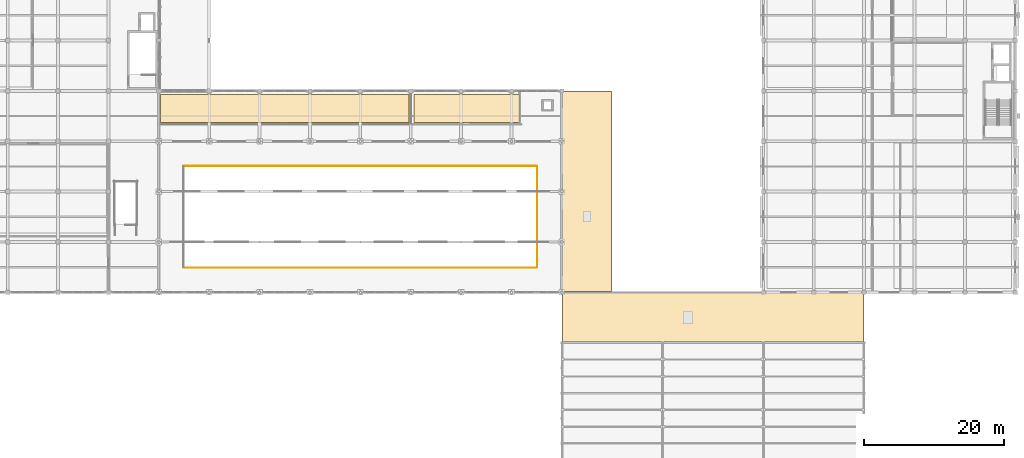
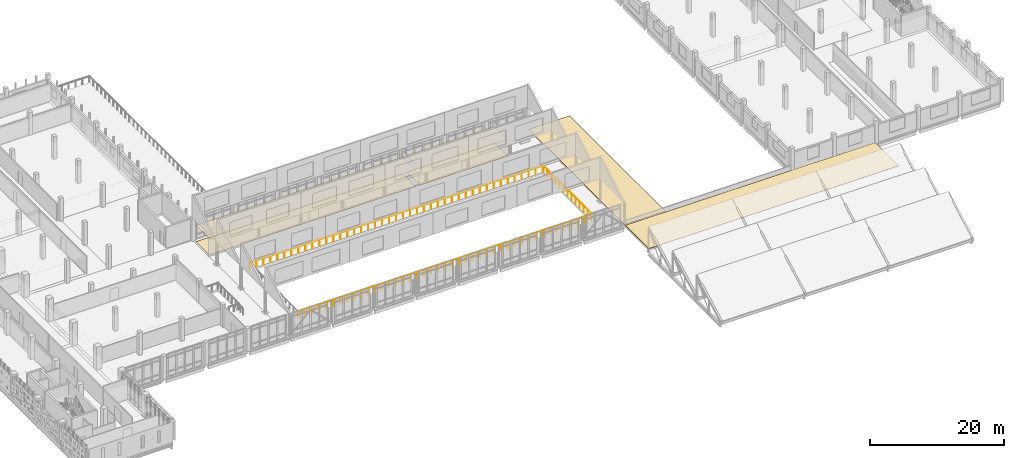
# One storey, part 57 of 62: 6 coverings, 3 railings.
"""IFC4 building model written with IfcOpenShell, lengths in metres."""

from ifc_helpers import new_model, si_unit, direction, frame, origin, origin_2d, place, context, subcontext, project, spatial, polyline, circle, outline, extrude, material, layer, layer_set, type_object, element, save


model = new_model("IFC4")

# Units and contexts
model_context = context("Model", 3, precision=1e-05, world=origin(), true_north=direction((0.0, 1.0)))
body_context = subcontext(model_context, "Body", "Model", "MODEL_VIEW")
ifc_project = project(units=[si_unit("LENGTHUNIT", "METRE"), si_unit("AREAUNIT", "SQUARE_METRE"), si_unit("VOLUMEUNIT", "CUBIC_METRE"), si_unit("PLANEANGLEUNIT", "RADIAN"), si_unit("MASSUNIT", "GRAM", prefix="KILO")], contexts=[model_context])

# Site, building, storey
site_placement = place(None, origin())
site = spatial("IfcSite", under=ifc_project, at=site_placement, CompositionType="ELEMENT")
building_placement = place(site_placement, origin())
building = spatial("IfcBuilding", under=site, at=building_placement, Name="Valkovuoma Quantum and Materials Research Institute", CompositionType="ELEMENT")
storey_placement = place(building_placement, frame((0.0, 0.0, 13.1201171875)))
storey = spatial("IfcBuildingStorey", under=building, at=storey_placement, Name="L03", CompositionType="ELEMENT", Elevation=13.1201171875)

# Coverings
ifc_material_1 = material(Name="Cleanable acoustic mineral-fibre suspended ceiling", Category="masonry")
ifc_layer_1 = layer(ifc_material_1, 0.02490234375)
ifc_layer_set_1 = layer_set([ifc_layer_1], Name="Cleanable acoustic mineral-fibre suspended ceiling")
covering_type_1 = type_object("IfcCoveringType", Name="Cov-CEIL-01", PredefinedType="CEILING", material=ifc_layer_set_1)
covering_1_placement = place(storey_placement, frame((0.0, 0.0, 3.0)))
element("IfcCovering", 1, at=covering_1_placement, inside=storey, type_object=covering_type_1, Name="L03 acoustic ceiling 0090", PredefinedType="CEILING", context=body_context, shape_type="SweptSolid", body=[
    extrude(outline(polyline([(43.449951171875, 60.25), (78.949951171875, 60.25), (78.949951171875, 64.25), (43.449951171875, 64.25), (43.449951171875, 60.25)])), origin(), (0.0, 0.0, 1.0), 0.02490234375),
])
covering_2_placement = place(storey_placement, frame((0.0, 0.0, 3.0)))
element("IfcCovering", 2, at=covering_2_placement, inside=storey, type_object=covering_type_1, Name="L03 acoustic ceiling 0091", PredefinedType="CEILING", context=body_context, shape_type="SweptSolid", body=[
    extrude(outline(polyline([(79.64990234375, 60.25), (94.75, 60.25), (94.75, 64.25), (79.64990234375, 64.25), (79.64990234375, 60.25)])), origin(), (0.0, 0.0, 1.0), 0.02490234375),
])
ifc_material_2 = material(Name="Seamless dissipative laboratory resin flooring", Category="masonry")
ifc_layer_2 = layer(ifc_material_2, 0.014892578125)
ifc_layer_set_2 = layer_set([ifc_layer_2], Name="Seamless dissipative laboratory resin flooring")
covering_type_2 = type_object("IfcCoveringType", Name="Cov-FLOR-01", PredefinedType="FLOORING", material=ifc_layer_set_2)
covering_3_placement = place(storey_placement, origin())
element("IfcCovering", 3, at=covering_3_placement, inside=storey, type_object=covering_type_2, Name="L03 resin flooring 0090", PredefinedType="FLOORING", context=body_context, shape_type="SweptSolid", body=[
    extrude(outline(polyline([(43.449951171875, 60.25), (78.949951171875, 60.25), (78.949951171875, 64.25), (43.449951171875, 64.25), (43.449951171875, 60.25)])), origin(), (0.0, 0.0, 1.0), 0.014892578125),
])
covering_4_placement = place(storey_placement, origin())
element("IfcCovering", 4, at=covering_4_placement, inside=storey, type_object=covering_type_2, Name="L03 resin flooring 0091", PredefinedType="FLOORING", context=body_context, shape_type="SweptSolid", body=[
    extrude(outline(polyline([(79.64990234375, 60.25), (94.75, 60.25), (94.75, 64.25), (79.64990234375, 64.25), (79.64990234375, 60.25)])), origin(), (0.0, 0.0, 1.0), 0.014892578125),
])
ifc_material_3 = material(Name="Standing-seam zinc and insulated snow-shedding roofing", Category="aluminium")
ifc_layer_3 = layer(ifc_material_3, 0.06005859375)
ifc_layer_set_3 = layer_set([ifc_layer_3], Name="Standing-seam zinc and insulated snow-shedding roofing")
covering_type_3 = type_object("IfcCoveringType", Name="Cov-ROOF-01", PredefinedType="ROOFING", material=ifc_layer_set_3)
covering_5_placement = place(storey_placement, origin())
element("IfcCovering", 5, at=covering_5_placement, inside=storey, type_object=covering_type_3, Name="L03 roof covering RFG-V1-LINK", PredefinedType="ROOFING", context=body_context, shape_type="SweptSolid", body=[
    extrude(outline(polyline([(100.89990234375, 28.89990234375), (143.89990234375, 28.89990234375), (143.89990234375, 35.89990234375), (100.89990234375, 35.89990234375), (100.89990234375, 28.89990234375)])), origin(), (0.0, 0.0, 1.0), 0.059814453125),
])
covering_6_placement = place(storey_placement, origin())
element("IfcCovering", 6, at=covering_6_placement, inside=storey, type_object=covering_type_3, Name="L03 roof covering RFG-V2-EAST", PredefinedType="ROOFING", context=body_context, shape_type="SweptSolid", body=[
    extrude(outline(polyline([(100.89990234375, 36.10009765625), (107.89990234375, 36.10009765625), (107.89990234375, 64.699951171875), (100.89990234375, 64.699951171875), (100.89990234375, 36.10009765625)])), origin(), (0.0, 0.0, 1.0), 0.059814453125),
])

# Railings
ifc_material_4 = material(Name="Hot-dip galvanised and powder-coated steel guardrail", Category="steel")
railing_type = type_object("IfcRailingType", Name="Rail-GRD-EXT", PredefinedType="BALUSTRADE", material=ifc_material_4)
railing_1_placement = place(storey_placement, frame((46.800048828125, 39.52001953125, 0.0)))
element("IfcRailing", 7, at=railing_1_placement, inside=storey, type_object=railing_type, Name="L03 atrium_void balustrade S", PredefinedType="BALUSTRADE", context=body_context, shape_type="SweptSolid", body=[
    extrude(circle(Radius=0.02392578125, at=origin_2d()), frame((0.0, 0.0, 1.17578125), z_axis=(1.0, 0.0, 0.0), x_axis=(0.0, 1.0, 0.0)), (0.0, 0.0, 1.0), 50.39990234375),
    extrude(circle(Radius=0.02099609375, at=origin_2d()), origin(), (0.0, 0.0, 1.0), 1.15185546875),
    extrude(circle(Radius=0.02099609375, at=origin_2d()), frame((1.199951171875, 0.0, 0.0)), (0.0, 0.0, 1.0), 1.15185546875),
    extrude(circle(Radius=0.02099609375, at=origin_2d()), frame((2.39990234375, 0.0, 0.0)), (0.0, 0.0, 1.0), 1.15185546875),
    extrude(circle(Radius=0.02099609375, at=origin_2d()), frame((3.60009765625, 0.0, 0.0)), (0.0, 0.0, 1.0), 1.15185546875),
    extrude(circle(Radius=0.02099609375, at=origin_2d()), frame((4.800048828125, 0.0, 0.0)), (0.0, 0.0, 1.0), 1.15185546875),
    extrude(circle(Radius=0.02099609375, at=origin_2d()), frame((6.0, 0.0, 0.0)), (0.0, 0.0, 1.0), 1.15185546875),
    extrude(circle(Radius=0.02099609375, at=origin_2d()), frame((7.199951171875, 0.0, 0.0)), (0.0, 0.0, 1.0), 1.15185546875),
    extrude(circle(Radius=0.02099609375, at=origin_2d()), frame((8.39990234375, 0.0, 0.0)), (0.0, 0.0, 1.0), 1.15185546875),
    extrude(circle(Radius=0.02099609375, at=origin_2d()), frame((9.60009765625, 0.0, 0.0)), (0.0, 0.0, 1.0), 1.15185546875),
    extrude(circle(Radius=0.02099609375, at=origin_2d()), frame((10.800048828125, 0.0, 0.0)), (0.0, 0.0, 1.0), 1.15185546875),
    extrude(circle(Radius=0.02099609375, at=origin_2d()), frame((12.0, 0.0, 0.0)), (0.0, 0.0, 1.0), 1.15185546875),
    extrude(circle(Radius=0.02099609375, at=origin_2d()), frame((13.199951171875, 0.0, 0.0)), (0.0, 0.0, 1.0), 1.15185546875),
    extrude(circle(Radius=0.02099609375, at=origin_2d()), frame((14.39990234375, 0.0, 0.0)), (0.0, 0.0, 1.0), 1.15185546875),
    extrude(circle(Radius=0.02099609375, at=origin_2d()), frame((15.599853515625, 0.0, 0.0)), (0.0, 0.0, 1.0), 1.15185546875),
    extrude(circle(Radius=0.02099609375, at=origin_2d()), frame((16.800048828125, 0.0, 0.0)), (0.0, 0.0, 1.0), 1.15185546875),
    extrude(circle(Radius=0.02099609375, at=origin_2d()), frame((18.0, 0.0, 0.0)), (0.0, 0.0, 1.0), 1.15185546875),
    extrude(circle(Radius=0.02099609375, at=origin_2d()), frame((19.199951171875, 0.0, 0.0)), (0.0, 0.0, 1.0), 1.15185546875),
    extrude(circle(Radius=0.02099609375, at=origin_2d()), frame((20.39990234375, 0.0, 0.0)), (0.0, 0.0, 1.0), 1.15185546875),
    extrude(circle(Radius=0.02099609375, at=origin_2d()), frame((21.599853515625, 0.0, 0.0)), (0.0, 0.0, 1.0), 1.15185546875),
    extrude(circle(Radius=0.02099609375, at=origin_2d()), frame((22.800048828125, 0.0, 0.0)), (0.0, 0.0, 1.0), 1.15185546875),
    extrude(circle(Radius=0.02099609375, at=origin_2d()), frame((24.0, 0.0, 0.0)), (0.0, 0.0, 1.0), 1.15185546875),
    extrude(circle(Radius=0.02099609375, at=origin_2d()), frame((25.199951171875, 0.0, 0.0)), (0.0, 0.0, 1.0), 1.15185546875),
    extrude(circle(Radius=0.02099609375, at=origin_2d()), frame((26.39990234375, 0.0, 0.0)), (0.0, 0.0, 1.0), 1.15185546875),
    extrude(circle(Radius=0.02099609375, at=origin_2d()), frame((27.599853515625, 0.0, 0.0)), (0.0, 0.0, 1.0), 1.15185546875),
    extrude(circle(Radius=0.02099609375, at=origin_2d()), frame((28.800048828125, 0.0, 0.0)), (0.0, 0.0, 1.0), 1.15185546875),
    extrude(circle(Radius=0.02099609375, at=origin_2d()), frame((30.0, 0.0, 0.0)), (0.0, 0.0, 1.0), 1.15185546875),
    extrude(circle(Radius=0.02099609375, at=origin_2d()), frame((31.199951171875, 0.0, 0.0)), (0.0, 0.0, 1.0), 1.15185546875),
    extrude(circle(Radius=0.02099609375, at=origin_2d()), frame((32.39990234375, 0.0, 0.0)), (0.0, 0.0, 1.0), 1.15185546875),
    extrude(circle(Radius=0.02099609375, at=origin_2d()), frame((33.599853515625, 0.0, 0.0)), (0.0, 0.0, 1.0), 1.15185546875),
    extrude(circle(Radius=0.02099609375, at=origin_2d()), frame((34.800048828125, 0.0, 0.0)), (0.0, 0.0, 1.0), 1.15185546875),
    extrude(circle(Radius=0.02099609375, at=origin_2d()), frame((36.0, 0.0, 0.0)), (0.0, 0.0, 1.0), 1.15185546875),
    extrude(circle(Radius=0.02099609375, at=origin_2d()), frame((37.199951171875, 0.0, 0.0)), (0.0, 0.0, 1.0), 1.15185546875),
    extrude(circle(Radius=0.02099609375, at=origin_2d()), frame((38.39990234375, 0.0, 0.0)), (0.0, 0.0, 1.0), 1.15185546875),
    extrude(circle(Radius=0.02099609375, at=origin_2d()), frame((39.599853515625, 0.0, 0.0)), (0.0, 0.0, 1.0), 1.15185546875),
    extrude(circle(Radius=0.02099609375, at=origin_2d()), frame((40.7998046875, 0.0, 0.0)), (0.0, 0.0, 1.0), 1.15185546875),
    extrude(circle(Radius=0.02099609375, at=origin_2d()), frame((42.0, 0.0, 0.0)), (0.0, 0.0, 1.0), 1.15185546875),
    extrude(circle(Radius=0.02099609375, at=origin_2d()), frame((43.199951171875, 0.0, 0.0)), (0.0, 0.0, 1.0), 1.15185546875),
    extrude(circle(Radius=0.02099609375, at=origin_2d()), frame((44.39990234375, 0.0, 0.0)), (0.0, 0.0, 1.0), 1.15185546875),
    extrude(circle(Radius=0.02099609375, at=origin_2d()), frame((45.599853515625, 0.0, 0.0)), (0.0, 0.0, 1.0), 1.15185546875),
    extrude(circle(Radius=0.02099609375, at=origin_2d()), frame((46.7998046875, 0.0, 0.0)), (0.0, 0.0, 1.0), 1.15185546875),
    extrude(circle(Radius=0.02099609375, at=origin_2d()), frame((48.0, 0.0, 0.0)), (0.0, 0.0, 1.0), 1.15185546875),
    extrude(circle(Radius=0.02099609375, at=origin_2d()), frame((49.199951171875, 0.0, 0.0)), (0.0, 0.0, 1.0), 1.15185546875),
    extrude(circle(Radius=0.02099609375, at=origin_2d()), frame((50.39990234375, 0.0, 0.0)), (0.0, 0.0, 1.0), 1.15185546875),
])
railing_2_placement = place(storey_placement, frame((46.800048828125, 54.080078125, 0.0)))
element("IfcRailing", 8, at=railing_2_placement, inside=storey, type_object=railing_type, Name="L03 atrium_void balustrade N", PredefinedType="BALUSTRADE", context=body_context, shape_type="SweptSolid", body=[
    extrude(circle(Radius=0.02392578125, at=origin_2d()), frame((0.0, 0.0, 1.17578125), z_axis=(1.0, 0.0, 0.0), x_axis=(0.0, 1.0, 0.0)), (0.0, 0.0, 1.0), 50.39990234375),
    extrude(circle(Radius=0.02099609375, at=origin_2d()), origin(), (0.0, 0.0, 1.0), 1.15185546875),
    extrude(circle(Radius=0.02099609375, at=origin_2d()), frame((1.199951171875, 0.0, 0.0)), (0.0, 0.0, 1.0), 1.15185546875),
    extrude(circle(Radius=0.02099609375, at=origin_2d()), frame((2.39990234375, 0.0, 0.0)), (0.0, 0.0, 1.0), 1.15185546875),
    extrude(circle(Radius=0.02099609375, at=origin_2d()), frame((3.60009765625, 0.0, 0.0)), (0.0, 0.0, 1.0), 1.15185546875),
    extrude(circle(Radius=0.02099609375, at=origin_2d()), frame((4.800048828125, 0.0, 0.0)), (0.0, 0.0, 1.0), 1.15185546875),
    extrude(circle(Radius=0.02099609375, at=origin_2d()), frame((6.0, 0.0, 0.0)), (0.0, 0.0, 1.0), 1.15185546875),
    extrude(circle(Radius=0.02099609375, at=origin_2d()), frame((7.199951171875, 0.0, 0.0)), (0.0, 0.0, 1.0), 1.15185546875),
    extrude(circle(Radius=0.02099609375, at=origin_2d()), frame((8.39990234375, 0.0, 0.0)), (0.0, 0.0, 1.0), 1.15185546875),
    extrude(circle(Radius=0.02099609375, at=origin_2d()), frame((9.60009765625, 0.0, 0.0)), (0.0, 0.0, 1.0), 1.15185546875),
    extrude(circle(Radius=0.02099609375, at=origin_2d()), frame((10.800048828125, 0.0, 0.0)), (0.0, 0.0, 1.0), 1.15185546875),
    extrude(circle(Radius=0.02099609375, at=origin_2d()), frame((12.0, 0.0, 0.0)), (0.0, 0.0, 1.0), 1.15185546875),
    extrude(circle(Radius=0.02099609375, at=origin_2d()), frame((13.199951171875, 0.0, 0.0)), (0.0, 0.0, 1.0), 1.15185546875),
    extrude(circle(Radius=0.02099609375, at=origin_2d()), frame((14.39990234375, 0.0, 0.0)), (0.0, 0.0, 1.0), 1.15185546875),
    extrude(circle(Radius=0.02099609375, at=origin_2d()), frame((15.599853515625, 0.0, 0.0)), (0.0, 0.0, 1.0), 1.15185546875),
    extrude(circle(Radius=0.02099609375, at=origin_2d()), frame((16.800048828125, 0.0, 0.0)), (0.0, 0.0, 1.0), 1.15185546875),
    extrude(circle(Radius=0.02099609375, at=origin_2d()), frame((18.0, 0.0, 0.0)), (0.0, 0.0, 1.0), 1.15185546875),
    extrude(circle(Radius=0.02099609375, at=origin_2d()), frame((19.199951171875, 0.0, 0.0)), (0.0, 0.0, 1.0), 1.15185546875),
    extrude(circle(Radius=0.02099609375, at=origin_2d()), frame((20.39990234375, 0.0, 0.0)), (0.0, 0.0, 1.0), 1.15185546875),
    extrude(circle(Radius=0.02099609375, at=origin_2d()), frame((21.599853515625, 0.0, 0.0)), (0.0, 0.0, 1.0), 1.15185546875),
    extrude(circle(Radius=0.02099609375, at=origin_2d()), frame((22.800048828125, 0.0, 0.0)), (0.0, 0.0, 1.0), 1.15185546875),
    extrude(circle(Radius=0.02099609375, at=origin_2d()), frame((24.0, 0.0, 0.0)), (0.0, 0.0, 1.0), 1.15185546875),
    extrude(circle(Radius=0.02099609375, at=origin_2d()), frame((25.199951171875, 0.0, 0.0)), (0.0, 0.0, 1.0), 1.15185546875),
    extrude(circle(Radius=0.02099609375, at=origin_2d()), frame((26.39990234375, 0.0, 0.0)), (0.0, 0.0, 1.0), 1.15185546875),
    extrude(circle(Radius=0.02099609375, at=origin_2d()), frame((27.599853515625, 0.0, 0.0)), (0.0, 0.0, 1.0), 1.15185546875),
    extrude(circle(Radius=0.02099609375, at=origin_2d()), frame((28.800048828125, 0.0, 0.0)), (0.0, 0.0, 1.0), 1.15185546875),
    extrude(circle(Radius=0.02099609375, at=origin_2d()), frame((30.0, 0.0, 0.0)), (0.0, 0.0, 1.0), 1.15185546875),
    extrude(circle(Radius=0.02099609375, at=origin_2d()), frame((31.199951171875, 0.0, 0.0)), (0.0, 0.0, 1.0), 1.15185546875),
    extrude(circle(Radius=0.02099609375, at=origin_2d()), frame((32.39990234375, 0.0, 0.0)), (0.0, 0.0, 1.0), 1.15185546875),
    extrude(circle(Radius=0.02099609375, at=origin_2d()), frame((33.599853515625, 0.0, 0.0)), (0.0, 0.0, 1.0), 1.15185546875),
    extrude(circle(Radius=0.02099609375, at=origin_2d()), frame((34.800048828125, 0.0, 0.0)), (0.0, 0.0, 1.0), 1.15185546875),
    extrude(circle(Radius=0.02099609375, at=origin_2d()), frame((36.0, 0.0, 0.0)), (0.0, 0.0, 1.0), 1.15185546875),
    extrude(circle(Radius=0.02099609375, at=origin_2d()), frame((37.199951171875, 0.0, 0.0)), (0.0, 0.0, 1.0), 1.15185546875),
    extrude(circle(Radius=0.02099609375, at=origin_2d()), frame((38.39990234375, 0.0, 0.0)), (0.0, 0.0, 1.0), 1.15185546875),
    extrude(circle(Radius=0.02099609375, at=origin_2d()), frame((39.599853515625, 0.0, 0.0)), (0.0, 0.0, 1.0), 1.15185546875),
    extrude(circle(Radius=0.02099609375, at=origin_2d()), frame((40.7998046875, 0.0, 0.0)), (0.0, 0.0, 1.0), 1.15185546875),
    extrude(circle(Radius=0.02099609375, at=origin_2d()), frame((42.0, 0.0, 0.0)), (0.0, 0.0, 1.0), 1.15185546875),
    extrude(circle(Radius=0.02099609375, at=origin_2d()), frame((43.199951171875, 0.0, 0.0)), (0.0, 0.0, 1.0), 1.15185546875),
    extrude(circle(Radius=0.02099609375, at=origin_2d()), frame((44.39990234375, 0.0, 0.0)), (0.0, 0.0, 1.0), 1.15185546875),
    extrude(circle(Radius=0.02099609375, at=origin_2d()), frame((45.599853515625, 0.0, 0.0)), (0.0, 0.0, 1.0), 1.15185546875),
    extrude(circle(Radius=0.02099609375, at=origin_2d()), frame((46.7998046875, 0.0, 0.0)), (0.0, 0.0, 1.0), 1.15185546875),
    extrude(circle(Radius=0.02099609375, at=origin_2d()), frame((48.0, 0.0, 0.0)), (0.0, 0.0, 1.0), 1.15185546875),
    extrude(circle(Radius=0.02099609375, at=origin_2d()), frame((49.199951171875, 0.0, 0.0)), (0.0, 0.0, 1.0), 1.15185546875),
    extrude(circle(Radius=0.02099609375, at=origin_2d()), frame((50.39990234375, 0.0, 0.0)), (0.0, 0.0, 1.0), 1.15185546875),
])
railing_3_placement = place(storey_placement, frame((97.280029296875, 39.60009765625, 0.0)))
element("IfcRailing", 9, at=railing_3_placement, inside=storey, type_object=railing_type, Name="L03 atrium_void balustrade E", PredefinedType="BALUSTRADE", context=body_context, shape_type="SweptSolid", body=[
    extrude(circle(Radius=0.02392578125, at=origin_2d()), frame((0.0, 0.0, 1.17578125), z_axis=(0.0, 1.0, 0.0), x_axis=(-1.0, 0.0, 0.0)), (0.0, 0.0, 1.0), 14.39990234375),
    extrude(circle(Radius=0.02099609375, at=origin_2d()), origin(), (0.0, 0.0, 1.0), 1.15185546875),
    extrude(circle(Radius=0.02099609375, at=origin_2d()), frame((0.0, 1.199951171875, 0.0)), (0.0, 0.0, 1.0), 1.15185546875),
    extrude(circle(Radius=0.02099609375, at=origin_2d()), frame((0.0, 2.39990234375, 0.0)), (0.0, 0.0, 1.0), 1.15185546875),
    extrude(circle(Radius=0.02099609375, at=origin_2d()), frame((0.0, 3.60009765625, 0.0)), (0.0, 0.0, 1.0), 1.15185546875),
    extrude(circle(Radius=0.02099609375, at=origin_2d()), frame((0.0, 4.800048828125, 0.0)), (0.0, 0.0, 1.0), 1.15185546875),
    extrude(circle(Radius=0.02099609375, at=origin_2d()), frame((0.0, 6.0, 0.0)), (0.0, 0.0, 1.0), 1.15185546875),
    extrude(circle(Radius=0.02099609375, at=origin_2d()), frame((0.0, 7.199951171875, 0.0)), (0.0, 0.0, 1.0), 1.15185546875),
    extrude(circle(Radius=0.02099609375, at=origin_2d()), frame((0.0, 8.39990234375, 0.0)), (0.0, 0.0, 1.0), 1.15185546875),
    extrude(circle(Radius=0.02099609375, at=origin_2d()), frame((0.0, 9.599853515625, 0.0)), (0.0, 0.0, 1.0), 1.15185546875),
    extrude(circle(Radius=0.02099609375, at=origin_2d()), frame((0.0, 10.7998046875, 0.0)), (0.0, 0.0, 1.0), 1.15185546875),
    extrude(circle(Radius=0.02099609375, at=origin_2d()), frame((0.0, 12.0, 0.0)), (0.0, 0.0, 1.0), 1.15185546875),
    extrude(circle(Radius=0.02099609375, at=origin_2d()), frame((0.0, 13.199951171875, 0.0)), (0.0, 0.0, 1.0), 1.15185546875),
    extrude(circle(Radius=0.02099609375, at=origin_2d()), frame((0.0, 14.39990234375, 0.0)), (0.0, 0.0, 1.0), 1.15185546875),
])

save(model, "model.ifc")
